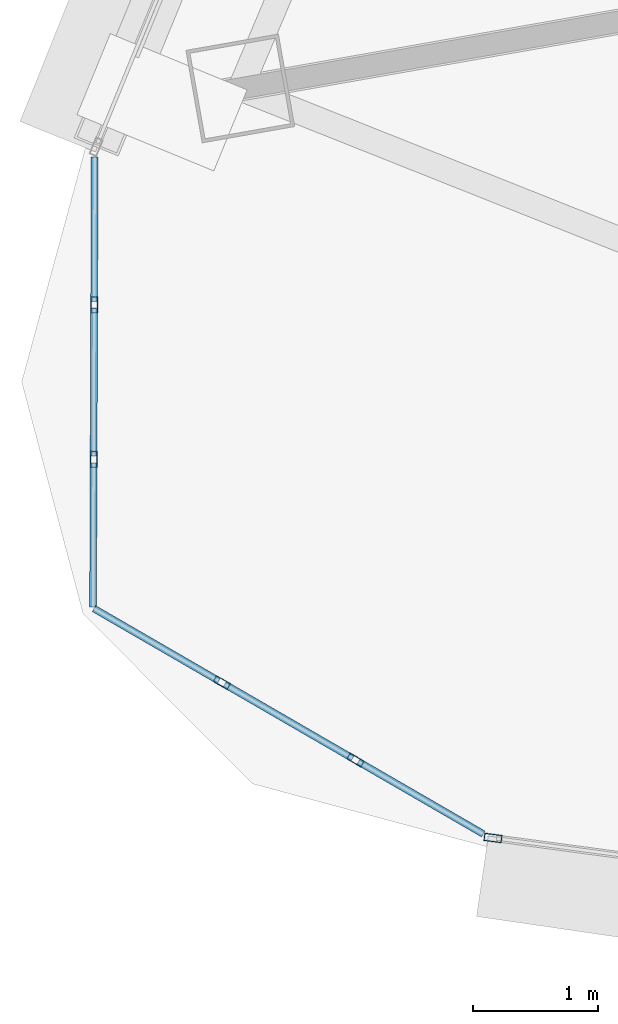
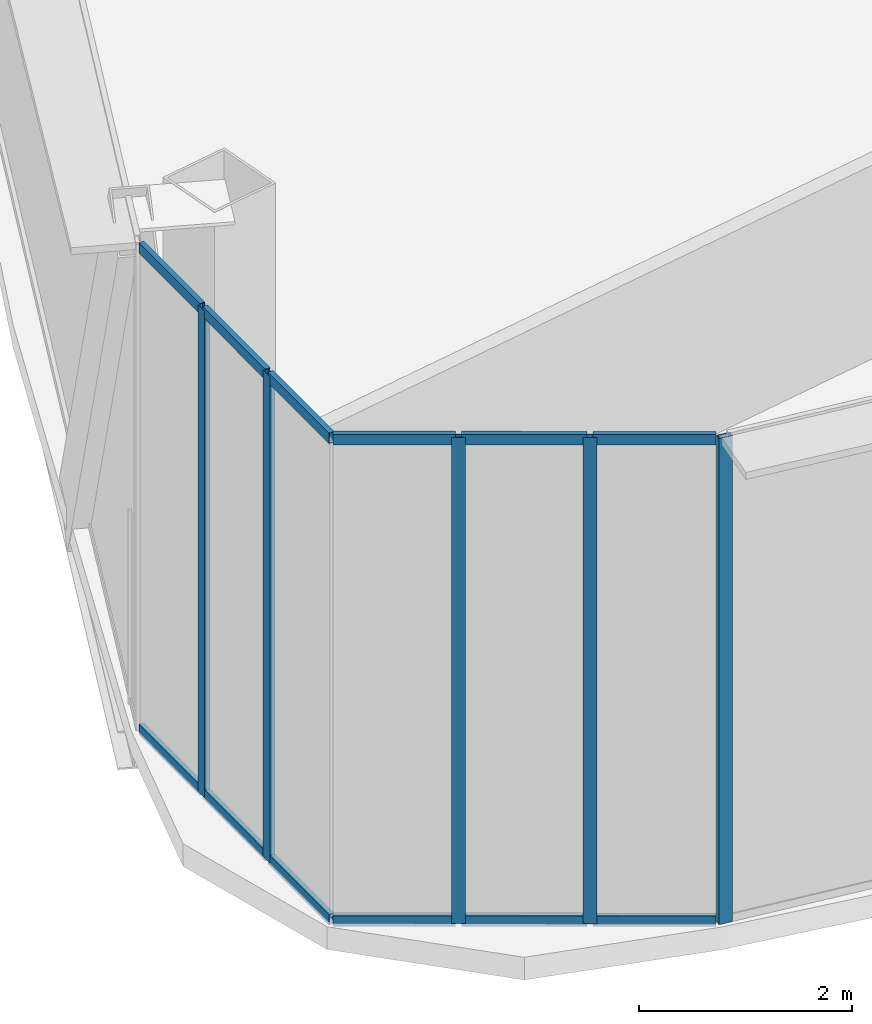
# One storey, part 2 of 33: 17 members, 3 elements without a shape of their own.
"""IFC4 building model written with IfcOpenShell, lengths in metres."""

from ifc_helpers import new_model, si_unit, direction, frame, origin, origin_2d, place, context, subcontext, project, spatial, hollow_rectangle, extrude, source, transform, mapped, material, layer, layer_set, material_profile, profile_set, type_object, element, aggregate, save


model = new_model("IFC4")

# Units and contexts
model_context = context("Model", 3, precision=1e-05, world=origin(), true_north=direction((0.0, 1.0)))
body_context = subcontext(model_context, "Body", "Model", "MODEL_VIEW")
ifc_project = project(units=[si_unit("LENGTHUNIT", "METRE"), si_unit("AREAUNIT", "SQUARE_METRE"), si_unit("VOLUMEUNIT", "CUBIC_METRE"), si_unit("PLANEANGLEUNIT", "RADIAN"), si_unit("MASSUNIT", "GRAM", prefix="KILO"), si_unit("THERMODYNAMICTEMPERATUREUNIT", "KELVIN"), si_unit("POWERUNIT", "WATT")], contexts=[model_context])

# Site, building, storey
site_placement = place(None, origin())
site = spatial("IfcSite", under=ifc_project, at=site_placement, CompositionType="ELEMENT")
building_placement = place(site_placement, origin())
building = spatial("IfcBuilding", under=site, at=building_placement, Name="Yunzhuo Pagoda Commons", CompositionType="ELEMENT")
storey_placement = place(building_placement, frame((0.0, 0.0, 314.860107421875)))
storey = spatial("IfcBuildingStorey", under=building, at=storey_placement, Name="L79", CompositionType="ELEMENT", Elevation=314.860107421875)

# Curtain wall, members
ifc_material = material(Name="Anodized aluminium 6063-T6", Category="aluminium")
ifc_layer_1 = layer(ifc_material, 0.1298828125)
ifc_layer_set_1 = layer_set([ifc_layer_1], Name="Anodized aluminium 6063-T6")
curtain_wall_type_1 = type_object("IfcCurtainWallType", Name="CW-VTX Rounded Corner Curtain Wall", PredefinedType="NOTDEFINED", material=ifc_layer_set_1)
curtain_wall_1_placement = place(storey_placement, origin())
curtain_wall_1 = element("IfcCurtainWall", 1, at=curtain_wall_1_placement, inside=storey, type_object=curtain_wall_type_1, Name="L79 curtain wall CW-L79-VTX1S1", PredefinedType="NOTDEFINED")
ifc_material_profile_1 = material_profile(ifc_material, hollow_rectangle(XDim=0.054931640625, YDim=0.1201171875, WallThickness=0.00341796875, at=origin_2d()), Name="Anodized aluminium 6063-T6")
ifc_profile_set_1 = profile_set([ifc_material_profile_1], Name="Anodized aluminium 6063-T6")
member_type_1 = type_object("IfcMemberType", Name="CW-VTX-T Transom RHS 120x55x3.5", PredefinedType="USERDEFINED", material=ifc_profile_set_1)
shared_shape_1 = source(origin(), body_context, "Body", "SweptSolid", [
    extrude(hollow_rectangle(XDim=0.054931640625, YDim=0.1201171875, WallThickness=0.00341796875, at=origin_2d()), origin(), (0.0, 0.0, 1.0), 1.151611328125),
])
member_1_placement = place(storey_placement, frame((18.175537109375, 28.09765625, 0.02734375), z_axis=(-0.003603962179, -0.999993505707, 0.0), x_axis=(0.999993505707, -0.003603962179, 0.0)))
member_1 = element("IfcMember", 2, at=member_1_placement, type_object=member_type_1, Name="CW transom 1.1", ObjectType="TRANSOM", PredefinedType="USERDEFINED", context=body_context, shape_type="MappedRepresentation", body=[
    mapped(shared_shape_1, transform((0.0, 0.0, 0.0), scale=1.0)),
])
member_2_placement = place(storey_placement, frame((18.175537109375, 28.09765625, 5.54248046875), z_axis=(-0.003603962179, -0.999993505707, 0.0), x_axis=(0.999993505707, -0.003603962179, 0.0)))
member_2 = element("IfcMember", 3, at=member_2_placement, type_object=member_type_1, Name="CW transom 1.2", ObjectType="TRANSOM", PredefinedType="USERDEFINED", context=body_context, shape_type="MappedRepresentation", body=[
    mapped(shared_shape_1, transform((0.0, 0.0, 0.0), scale=1.0)),
])
member_3_placement = place(storey_placement, frame((18.166748046875, 25.656982421875, 0.02734375), z_axis=(-0.003603962179, -0.999993505707, 0.0), x_axis=(0.999993505707, -0.003603962179, 0.0)))
member_3 = element("IfcMember", 4, at=member_3_placement, type_object=member_type_1, Name="CW transom 3.1", ObjectType="TRANSOM", PredefinedType="USERDEFINED", context=body_context, shape_type="MappedRepresentation", body=[
    mapped(shared_shape_1, transform((0.0, 0.0, 0.0), scale=1.0)),
])
member_4_placement = place(storey_placement, frame((18.166748046875, 25.656982421875, 5.54248046875), z_axis=(-0.003603962179, -0.999993505707, 0.0), x_axis=(0.999993505707, -0.003603962179, 0.0)))
member_4 = element("IfcMember", 5, at=member_4_placement, type_object=member_type_1, Name="CW transom 3.2", ObjectType="TRANSOM", PredefinedType="USERDEFINED", context=body_context, shape_type="MappedRepresentation", body=[
    mapped(shared_shape_1, transform((0.0, 0.0, 0.0), scale=1.0)),
])

curtain_wall_2_placement = place(storey_placement, origin())
curtain_wall_2 = element("IfcCurtainWall", 6, at=curtain_wall_2_placement, inside=storey, type_object=curtain_wall_type_1, Name="L79 curtain wall CW-L79-VTX1S2", PredefinedType="NOTDEFINED")
member_5_placement = place(storey_placement, frame((18.170166015625, 24.492431640625, 0.02734375), z_axis=(0.865358545126, -0.501153258373, 0.0), x_axis=(0.501153258373, 0.865358545126, 0.0)))
member_5 = element("IfcMember", 7, at=member_5_placement, type_object=member_type_1, Name="CW transom 1.1", ObjectType="TRANSOM", PredefinedType="USERDEFINED", context=body_context, shape_type="MappedRepresentation", body=[
    mapped(shared_shape_1, transform((0.0, 0.0, 0.0), scale=1.0)),
])
member_6_placement = place(storey_placement, frame((18.170166015625, 24.492431640625, 5.54248046875), z_axis=(0.865358545126, -0.501153258373, 0.0), x_axis=(0.501153258373, 0.865358545126, 0.0)))
member_6 = element("IfcMember", 8, at=member_6_placement, type_object=member_type_1, Name="CW transom 1.2", ObjectType="TRANSOM", PredefinedType="USERDEFINED", context=body_context, shape_type="MappedRepresentation", body=[
    mapped(shared_shape_1, transform((0.0, 0.0, 0.0), scale=1.0)),
])
member_7_placement = place(storey_placement, frame((20.282470703125, 23.26953125, 0.02734375), z_axis=(0.865450477202, -0.500994482515, 0.0), x_axis=(0.500994482515, 0.865450477202, 0.0)))
member_7 = element("IfcMember", 9, at=member_7_placement, type_object=member_type_1, Name="CW transom 3.1", ObjectType="TRANSOM", PredefinedType="USERDEFINED", context=body_context, shape_type="MappedRepresentation", body=[
    mapped(shared_shape_1, transform((0.0, 0.0, 0.0), scale=1.0)),
])
member_8_placement = place(storey_placement, frame((20.282470703125, 23.26953125, 5.54248046875), z_axis=(0.865450477202, -0.500994482515, 0.0), x_axis=(0.500994482515, 0.865450477202, 0.0)))
member_8 = element("IfcMember", 10, at=member_8_placement, type_object=member_type_1, Name="CW transom 3.2", ObjectType="TRANSOM", PredefinedType="USERDEFINED", context=body_context, shape_type="MappedRepresentation", body=[
    mapped(shared_shape_1, transform((0.0, 0.0, 0.0), scale=1.0)),
])

# Member
shared_shape_2 = source(origin(), body_context, "Body", "SweptSolid", [
    extrude(hollow_rectangle(XDim=0.054931640625, YDim=0.1201171875, WallThickness=0.00341796875, at=origin_2d()), origin(), (0.0, 0.0, 1.0), 1.17919921875),
])
member_9_placement = place(storey_placement, frame((18.17138671875, 26.89111328125, 0.02734375), z_axis=(-0.003726682196, -0.999993055896, 0.0), x_axis=(0.999993055896, -0.003726682196, 0.0)))
member_9 = element("IfcMember", 11, at=member_9_placement, type_object=member_type_1, Name="CW transom 2.1", ObjectType="TRANSOM", PredefinedType="USERDEFINED", context=body_context, shape_type="MappedRepresentation", body=[
    mapped(shared_shape_2, transform((0.0, 0.0, 0.0), scale=1.0)),
])

member_10_placement = place(storey_placement, frame((18.17138671875, 26.89111328125, 5.54248046875), z_axis=(-0.003726682196, -0.999993055896, 0.0), x_axis=(0.999993055896, -0.003726682196, 0.0)))
member_10 = element("IfcMember", 12, at=member_10_placement, type_object=member_type_1, Name="CW transom 2.2", ObjectType="TRANSOM", PredefinedType="USERDEFINED", context=body_context, shape_type="MappedRepresentation", body=[
    mapped(shared_shape_2, transform((0.0, 0.0, 0.0), scale=1.0)),
])

member_11_placement = place(storey_placement, frame((19.214599609375, 23.88818359375, 0.02734375), z_axis=(0.865284490925, -0.501281108526, 0.0), x_axis=(0.501281108526, 0.865284490925, 0.0)))
member_11 = element("IfcMember", 13, at=member_11_placement, type_object=member_type_1, Name="CW transom 2.1", ObjectType="TRANSOM", PredefinedType="USERDEFINED", context=body_context, shape_type="MappedRepresentation", body=[
    mapped(shared_shape_2, transform((0.0, 0.0, 0.0), scale=1.0)),
])

member_12_placement = place(storey_placement, frame((19.214599609375, 23.88818359375, 5.54248046875), z_axis=(0.865284490925, -0.501281108526, 0.0), x_axis=(0.501281108526, 0.865284490925, 0.0)))
member_12 = element("IfcMember", 14, at=member_12_placement, type_object=member_type_1, Name="CW transom 2.2", ObjectType="TRANSOM", PredefinedType="USERDEFINED", context=body_context, shape_type="MappedRepresentation", body=[
    mapped(shared_shape_2, transform((0.0, 0.0, 0.0), scale=1.0)),
])

# Curtain wall, member
ifc_layer_2 = layer(ifc_material, 0.139892578125)
ifc_layer_set_2 = layer_set([ifc_layer_2], Name="Anodized aluminium 6063-T6")
curtain_wall_type_2 = type_object("IfcCurtainWallType", Name="CW-HI High-Zone Ribbon Curtain Wall", PredefinedType="NOTDEFINED", material=ifc_layer_set_2)
curtain_wall_3_placement = place(storey_placement, origin())
curtain_wall_3 = element("IfcCurtainWall", 15, at=curtain_wall_3_placement, inside=storey, type_object=curtain_wall_type_2, Name="L79 curtain wall CW-L79-F1B1", PredefinedType="NOTDEFINED")
ifc_material_profile_2 = material_profile(ifc_material, hollow_rectangle(XDim=0.06005859375, YDim=0.139892578125, WallThickness=0.00341796875, at=origin_2d()), Name="Anodized aluminium 6063-T6")
ifc_profile_set_2 = profile_set([ifc_material_profile_2], Name="Anodized aluminium 6063-T6")
member_type_2 = type_object("IfcMemberType", Name="CW-HI-M Mullion RHS 140x60x3.5", PredefinedType="MULLION", material=ifc_profile_set_2)
shared_shape_3 = source(origin(), body_context, "Body", "SweptSolid", [
    extrude(hollow_rectangle(XDim=0.06005859375, YDim=0.139892578125, WallThickness=0.00341796875, at=origin_2d()), origin(), (0.0, 0.0, 1.0), 5.56982421875),
])
member_13_placement = place(storey_placement, frame((21.3564453125, 22.660888671875, 0.0), z_axis=(0.0, 0.0, 1.0), x_axis=(0.133518525759, 0.991046317424, 0.0)))
member_13 = element("IfcMember", 16, at=member_13_placement, type_object=member_type_2, Name="CW mullion 1", PredefinedType="MULLION", context=body_context, shape_type="MappedRepresentation", body=[
    mapped(shared_shape_3, transform((0.0, 0.0, 0.0), scale=1.0)),
])
aggregate(curtain_wall_3, [member_13])

# Member
ifc_material_profile_3 = material_profile(ifc_material, hollow_rectangle(XDim=0.054931640625, YDim=0.1298828125, WallThickness=0.00341796875, at=origin_2d()), Name="Anodized aluminium 6063-T6")
ifc_profile_set_3 = profile_set([ifc_material_profile_3], Name="Anodized aluminium 6063-T6")
member_type_3 = type_object("IfcMemberType", Name="CW-VTX-M Mullion RHS 130x55x3.5", PredefinedType="MULLION", material=ifc_profile_set_3)
shared_shape_4 = source(origin(), body_context, "Body", "SweptSolid", [
    extrude(hollow_rectangle(XDim=0.054931640625, YDim=0.1298828125, WallThickness=0.00341796875, at=origin_2d()), origin(), (0.0, 0.0, 1.0), 5.56982421875),
])
member_14_placement = place(storey_placement, frame((18.17138671875, 26.91845703125, 0.0), z_axis=(0.0, 0.0, 1.0), x_axis=(0.999993547183, -0.003592435359, 0.0)))
member_14 = element("IfcMember", 17, at=member_14_placement, type_object=member_type_3, Name="CW mullion 2", PredefinedType="MULLION", context=body_context, shape_type="MappedRepresentation", body=[
    mapped(shared_shape_4, transform((0.0, 0.0, 0.0), scale=1.0)),
])

member_15_placement = place(storey_placement, frame((18.1669921875, 25.6845703125, 0.0), z_axis=(0.0, 0.0, 1.0), x_axis=(0.999993547183, -0.003592435359, 0.0)))
member_15 = element("IfcMember", 18, at=member_15_placement, type_object=member_type_3, Name="CW mullion 3", PredefinedType="MULLION", context=body_context, shape_type="MappedRepresentation", body=[
    mapped(shared_shape_4, transform((0.0, 0.0, 0.0), scale=1.0)),
])

aggregate(curtain_wall_1, [member_14, member_15, member_1, member_2, member_9, member_10, member_3, member_4])

member_16_placement = place(storey_placement, frame((19.190673828125, 23.901611328125, 0.0), z_axis=(0.0, 0.0, 1.0), x_axis=(0.501026687771, 0.86543183333, 0.0)))
member_16 = element("IfcMember", 19, at=member_16_placement, type_object=member_type_3, Name="CW mullion 2", PredefinedType="MULLION", context=body_context, shape_type="MappedRepresentation", body=[
    mapped(shared_shape_4, transform((0.0, 0.0, 0.0), scale=1.0)),
])

member_17_placement = place(storey_placement, frame((20.258544921875, 23.283203125, 0.0), z_axis=(0.0, 0.0, 1.0), x_axis=(0.501026687771, 0.86543183333, 0.0)))
member_17 = element("IfcMember", 20, at=member_17_placement, type_object=member_type_3, Name="CW mullion 3", PredefinedType="MULLION", context=body_context, shape_type="MappedRepresentation", body=[
    mapped(shared_shape_4, transform((0.0, 0.0, 0.0), scale=1.0)),
])

aggregate(curtain_wall_2, [member_16, member_17, member_5, member_6, member_11, member_12, member_7, member_8])

save(model, "model.ifc")
